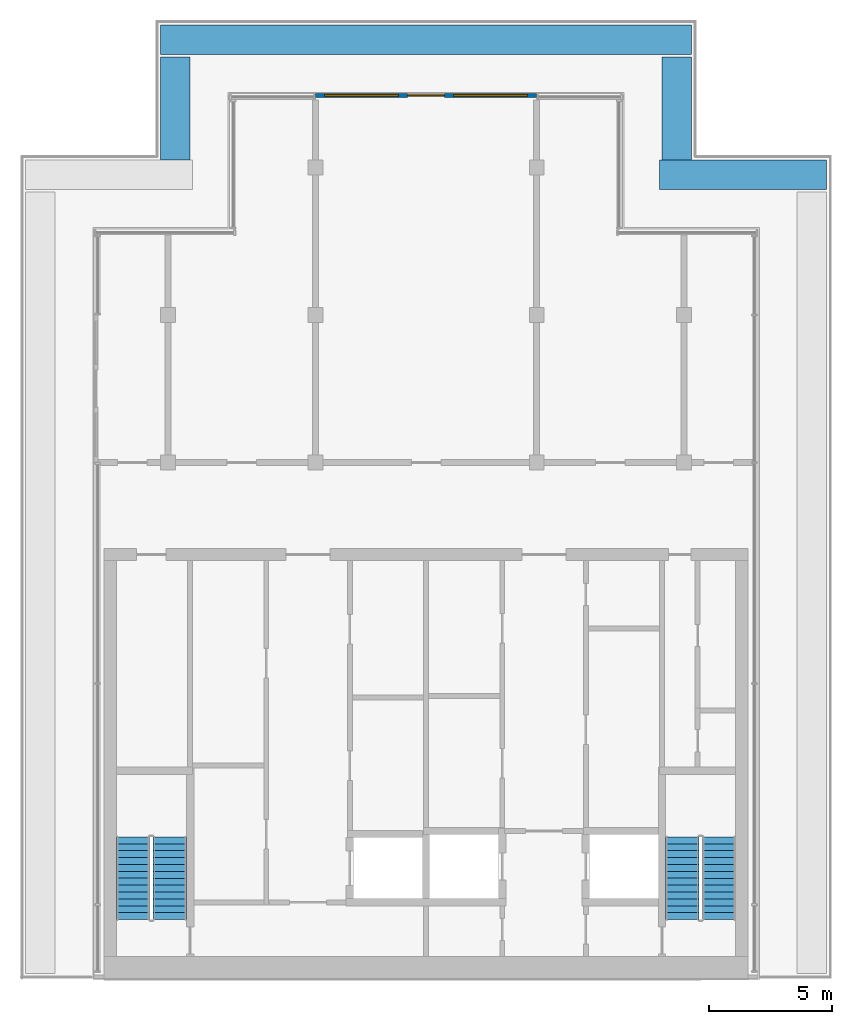
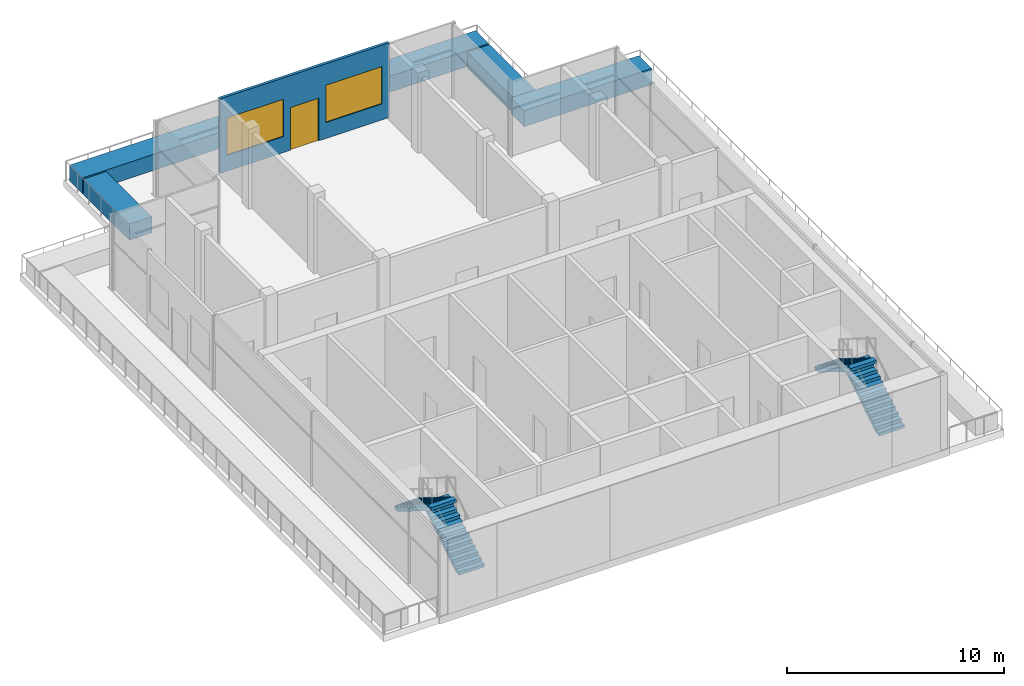
# One storey, part 4 of 6: 5 walls, 4 stair flights, 2 windows, 1 door, 3 openings, 2 elements without a shape of their own.
"""IFC4 building model written with IfcOpenShell, lengths in metres."""

from ifc_helpers import new_model, si_unit, direction, frame, frame_2d, origin, place, context, subcontext, project, spatial, polyline, rectangle, outline, extrude, material, layer, layer_set, type_object, element, fill, aggregate, save


model = new_model("IFC4")

# Units and contexts
model_context = context("Model", 3, precision=1e-05, world=origin(), true_north=direction((0.0, 1.0)))
body_context = subcontext(model_context, "Body", "Model", "MODEL_VIEW")
ifc_project = project(units=[si_unit("LENGTHUNIT", "METRE"), si_unit("AREAUNIT", "SQUARE_METRE"), si_unit("VOLUMEUNIT", "CUBIC_METRE"), si_unit("PLANEANGLEUNIT", "RADIAN"), si_unit("MASSUNIT", "GRAM", prefix="KILO")], contexts=[model_context])

# Site, building, storey
site_placement = place(None, origin())
site = spatial("IfcSite", under=ifc_project, at=site_placement, CompositionType="ELEMENT")
building_placement = place(site_placement, origin())
building = spatial("IfcBuilding", under=site, at=building_placement, Name="Finial Court Residences", CompositionType="ELEMENT")
storey_placement = place(building_placement, frame((0.0, 0.0, 312.199951171875)))
storey = spatial("IfcBuildingStorey", under=building, at=storey_placement, Name="L79", CompositionType="ELEMENT", Elevation=312.199951171875)

# Wall, openings, door, windows
ifc_material_1 = material(Name="Natural limestone", Category="masonry")
ifc_layer_1 = layer(ifc_material_1, 0.14990234375)
ifc_layer_set_1 = layer_set([ifc_layer_1], Name="Limestone clad wall 150")
wall_type_1 = type_object("IfcWallType", Name="Limestone clad wall 150", PredefinedType="SOLIDWALL", material=ifc_layer_set_1)
wall_1_placement = place(storey_placement, frame((-4.5, 10.425048828125, 0.0), z_axis=(0.0, 0.0, 1.0), x_axis=(1.0, 0.0, 0.0)))
wall_1 = element("IfcWall", 1, at=wall_1_placement, inside=storey, type_object=wall_type_1, Name="E-L79-L79-TD1-W", PredefinedType="SOLIDWALL", context=body_context, shape_type="SweptSolid", body=[
    extrude(rectangle(XDim=9.0, YDim=0.14990234375, at=frame_2d((4.5, 0.0))), origin(), (0.0, 0.0, 1.0), 4.199951171875),
])
opening_1_placement = place(wall_1_placement, frame((3.75, 0.0, 0.0)))
opening_1 = element("IfcOpeningElement", 2, at=opening_1_placement, cuts=wall_1, Name="Opening DE79-01", PredefinedType="OPENING", context=body_context, shape_type="SweptSolid", body=[
    extrude(rectangle(XDim=1.5, YDim=2.39990234375, at=frame_2d((0.75, 1.199951171875))), frame((0.0, 0.0849609375, 0.0), z_axis=(0.0, -1.0, 0.0), x_axis=(1.0, 0.0, 0.0)), (0.0, 0.0, 1.0), 0.169921875),
])
opening_2_placement = place(wall_1_placement, frame((0.375, 0.0, 0.89990234375)))
opening_2 = element("IfcOpeningElement", 3, at=opening_2_placement, cuts=wall_1, Name="Opening WE79-01", PredefinedType="OPENING", context=body_context, shape_type="SweptSolid", body=[
    extrude(rectangle(XDim=3.0, YDim=2.10009765625, at=frame_2d((1.5, 1.050048828125))), frame((0.0, 0.0849609375, 0.0), z_axis=(0.0, -1.0, 0.0), x_axis=(1.0, 0.0, 0.0)), (0.0, 0.0, 1.0), 0.169921875),
])
opening_3_placement = place(wall_1_placement, frame((5.625, 0.0, 0.89990234375)))
opening_3 = element("IfcOpeningElement", 4, at=opening_3_placement, cuts=wall_1, Name="Opening WE79-02", PredefinedType="OPENING", context=body_context, shape_type="SweptSolid", body=[
    extrude(rectangle(XDim=3.0, YDim=2.10009765625, at=frame_2d((1.5, 1.050048828125))), frame((0.0, 0.0849609375, 0.0), z_axis=(0.0, -1.0, 0.0), x_axis=(1.0, 0.0, 0.0)), (0.0, 0.0, 1.0), 0.169921875),
])
ifc_material_2 = material(Name="Bronze anodised aluminium", Category="aluminium")
door_type = type_object("IfcDoorType", Name="Terrace door 1500 x 2400", OperationType="DOUBLE_DOOR_SINGLE_SWING", PredefinedType="DOOR", material=ifc_material_2)
door_placement = place(opening_1_placement, origin())
door = element("IfcDoor", 5, at=door_placement, inside=storey, type_object=door_type, Name="E-L79-L79-TD1-W-D", OperationType="DOUBLE_DOOR_SINGLE_SWING", OverallHeight=2.39990234375, OverallWidth=1.5, PredefinedType="DOOR", context=body_context, shape_type="SweptSolid", body=[
    extrude(rectangle(XDim=1.5, YDim=2.39990234375, at=frame_2d((0.75, 1.199951171875))), frame((0.0, 0.02490234375, 0.0), z_axis=(0.0, -1.0, 0.0), x_axis=(1.0, 0.0, 0.0)), (0.0, 0.0, 1.0), 0.050048828125),
])
fill(opening_1, door)
ifc_material_3 = material(Name="Clear low-e glass", Category="glass")
window_type = type_object("IfcWindowType", Name="Terrace window 3000 x 2100", PartitioningType="SINGLE_PANEL", PredefinedType="WINDOW", material=ifc_material_3)
window_1_placement = place(opening_2_placement, origin())
window_1 = element("IfcWindow", 6, at=window_1_placement, inside=storey, type_object=window_type, Name="E-L79-L79-TD1-W-W1", OverallHeight=2.10009765625, OverallWidth=3.0, PartitioningType="SINGLE_PANEL", PredefinedType="WINDOW", context=body_context, shape_type="SweptSolid", body=[
    extrude(rectangle(XDim=3.0, YDim=2.10009765625, at=frame_2d((1.5, 1.050048828125))), frame((0.0, 0.030029296875, 0.0), z_axis=(0.0, -1.0, 0.0), x_axis=(1.0, 0.0, 0.0)), (0.0, 0.0, 1.0), 0.06005859375),
])
fill(opening_2, window_1)
window_2_placement = place(opening_3_placement, origin())
window_2 = element("IfcWindow", 7, at=window_2_placement, inside=storey, type_object=window_type, Name="E-L79-L79-TD1-W-W2", OverallHeight=2.10009765625, OverallWidth=3.0, PartitioningType="SINGLE_PANEL", PredefinedType="WINDOW", context=body_context, shape_type="SweptSolid", body=[
    extrude(rectangle(XDim=3.0, YDim=2.10009765625, at=frame_2d((1.5, 1.050048828125))), frame((0.0, 0.030029296875, 0.0), z_axis=(0.0, -1.0, 0.0), x_axis=(1.0, 0.0, 0.0)), (0.0, 0.0, 1.0), 0.06005859375),
])
fill(opening_3, window_2)

# Walls
ifc_material_4 = material(Name="Concrete C40/50", Category="concrete")
ifc_layer_2 = layer(ifc_material_4, 0.199951171875)
ifc_material_5 = material(Name="Planting soil", Category="soil")
ifc_layer_3 = layer(ifc_material_5, 0.800048828125)
ifc_layer_4 = layer(ifc_material_4, 0.199951171875)
ifc_layer_set_2 = layer_set([ifc_layer_2, ifc_layer_3, ifc_layer_4], Name="Planter wall, terrace 1200")
wall_type_2 = type_object("IfcWallType", Name="Planter wall, terrace 1200", PredefinedType="USERDEFINED", material=ifc_layer_set_2)
wall_2_placement = place(storey_placement, frame((-10.199951171875, 7.800048828125, 0.0), z_axis=(0.0, 0.0, 1.0), x_axis=(0.0, 1.0, 0.0)))
element("IfcWall", 8, at=wall_2_placement, inside=storey, type_object=wall_type_2, Name="E-L79-TER1-PL3", ObjectType="PLANTER", PredefinedType="USERDEFINED", context=body_context, shape_type="SweptSolid", body=[
    extrude(rectangle(XDim=4.199951171875, YDim=1.199951171875, at=frame_2d((2.10009765625, 0.0))), origin(), (0.0, 0.0, 1.0), 0.900146484375),
])
wall_3_placement = place(storey_placement, frame((-10.800048828125, 12.699951171875, 0.0), z_axis=(0.0, 0.0, 1.0), x_axis=(1.0, 0.0, 0.0)))
element("IfcWall", 9, at=wall_3_placement, inside=storey, type_object=wall_type_2, Name="E-L79-TER1-PL4", ObjectType="PLANTER", PredefinedType="USERDEFINED", context=body_context, shape_type="SweptSolid", body=[
    extrude(rectangle(XDim=21.60009765625, YDim=1.199951171875, at=frame_2d((10.800048828125, 0.0))), origin(), (0.0, 0.0, 1.0), 0.900146484375),
])
wall_4_placement = place(storey_placement, frame((10.199951171875, 7.800048828125, 0.0), z_axis=(0.0, 0.0, 1.0), x_axis=(0.0, 1.0, 0.0)))
element("IfcWall", 10, at=wall_4_placement, inside=storey, type_object=wall_type_2, Name="E-L79-TER1-PL5", ObjectType="PLANTER", PredefinedType="USERDEFINED", context=body_context, shape_type="SweptSolid", body=[
    extrude(rectangle(XDim=4.199951171875, YDim=1.199951171875, at=frame_2d((2.10009765625, 0.0))), origin(), (0.0, 0.0, 1.0), 0.900146484375),
])
wall_5_placement = place(storey_placement, frame((9.5, 7.199951171875, 0.0), z_axis=(0.0, 0.0, 1.0), x_axis=(1.0, 0.0, 0.0)))
element("IfcWall", 11, at=wall_5_placement, inside=storey, type_object=wall_type_2, Name="E-L79-TER1-PL6", ObjectType="PLANTER", PredefinedType="USERDEFINED", context=body_context, shape_type="SweptSolid", body=[
    extrude(rectangle(XDim=6.800048828125, YDim=1.199951171875, at=frame_2d((3.39990234375, 0.0))), origin(), (0.0, 0.0, 1.0), 0.900146484375),
])

# Stair, stair flights
ifc_material_6 = material(Name="Concrete C50/60", Category="concrete")
stair_type = type_object("IfcStairType", Name="Exit stair 26 risers of 173.1 mm", PredefinedType="HALF_TURN_STAIR", material=ifc_material_6)
stair_1_placement = place(storey_placement, origin())
stair_1 = element("IfcStair", 12, at=stair_1_placement, inside=storey, type_object=stair_type, Name="L79 Exit stair ST-1", PredefinedType="HALF_TURN_STAIR")
stair_flight_type = type_object("IfcStairFlightType", Name="Exit stair flight", PredefinedType="STRAIGHT", material=ifc_material_6)
stair_flight_1_placement = place(storey_placement, frame((-10.425048828125, -23.10009765625, 0.0), z_axis=(0.0, 0.0, 1.0), x_axis=(0.0, 1.0, 0.0)))
stair_flight_1 = element("IfcStairFlight", 13, at=stair_flight_1_placement, type_object=stair_flight_type, Name="ST-1 flight 1", NumberOfRisers=13, NumberOfTreads=12, PredefinedType="STRAIGHT", RiserHeight=0.173076923, TreadLength=0.28, context=body_context, shape_type="SweptSolid", body=[
    extrude(outline(polyline([(0.0, 0.0), (0.0, 0.173095703125), (0.280029296875, 0.173095703125), (0.280029296875, 0.34619140625), (0.56005859375, 0.34619140625), (0.56005859375, 0.519287109375), (0.840087890625, 0.519287109375), (0.840087890625, 0.6923828125), (1.1201171875, 0.6923828125), (1.1201171875, 0.865478515625), (1.39990234375, 0.865478515625), (1.39990234375, 1.03857421875), (1.679931640625, 1.03857421875), (1.679931640625, 1.21142578125), (1.9599609375, 1.21142578125), (1.9599609375, 1.384521484375), (2.239990234375, 1.384521484375), (2.239990234375, 1.5576171875), (2.52001953125, 1.5576171875), (2.52001953125, 1.730712890625), (2.800048828125, 1.730712890625), (2.800048828125, 1.90380859375), (3.080078125, 1.90380859375), (3.080078125, 2.076904296875), (3.360107421875, 2.076904296875), (3.360107421875, 2.25), (3.360107421875, 1.900634765625), (0.28515625, 0.0), (0.0, 0.0)])), frame((0.0, 0.675048828125, 0.0), z_axis=(0.0, -1.0, 0.0), x_axis=(1.0, 0.0, 0.0)), (0.0, 0.0, 1.0), 1.35009765625),
])
stair_flight_2_placement = place(storey_placement, frame((-11.925048828125, -19.739990234375, 2.25), z_axis=(0.0, 0.0, 1.0), x_axis=(0.0, -1.0, 0.0)))
stair_flight_2 = element("IfcStairFlight", 14, at=stair_flight_2_placement, type_object=stair_flight_type, Name="ST-1 flight 2", NumberOfRisers=13, NumberOfTreads=12, PredefinedType="STRAIGHT", RiserHeight=0.173076923, TreadLength=0.28, context=body_context, shape_type="SweptSolid", body=[
    extrude(outline(polyline([(0.0, 0.0), (0.0, 0.173095703125), (0.280029296875, 0.173095703125), (0.280029296875, 0.34619140625), (0.56005859375, 0.34619140625), (0.56005859375, 0.519287109375), (0.840087890625, 0.519287109375), (0.840087890625, 0.6923828125), (1.1201171875, 0.6923828125), (1.1201171875, 0.865478515625), (1.39990234375, 0.865478515625), (1.39990234375, 1.03857421875), (1.679931640625, 1.03857421875), (1.679931640625, 1.21142578125), (1.9599609375, 1.21142578125), (1.9599609375, 1.384521484375), (2.239990234375, 1.384521484375), (2.239990234375, 1.5576171875), (2.52001953125, 1.5576171875), (2.52001953125, 1.730712890625), (2.800048828125, 1.730712890625), (2.800048828125, 1.90380859375), (3.080078125, 1.90380859375), (3.080078125, 2.076904296875), (3.360107421875, 2.076904296875), (3.360107421875, 2.25), (3.360107421875, 1.900634765625), (0.28515625, 0.0), (0.0, 0.0)])), frame((0.0, 0.675048828125, 0.0), z_axis=(0.0, -1.0, 0.0), x_axis=(1.0, 0.0, 0.0)), (0.0, 0.0, 1.0), 1.35009765625),
])
aggregate(stair_1, [stair_flight_1, stair_flight_2])

stair_2_placement = place(storey_placement, origin())
stair_2 = element("IfcStair", 15, at=stair_2_placement, inside=storey, type_object=stair_type, Name="L79 Exit stair ST-2", PredefinedType="HALF_TURN_STAIR")
stair_flight_3_placement = place(storey_placement, frame((11.925048828125, -23.10009765625, 0.0), z_axis=(0.0, 0.0, 1.0), x_axis=(0.0, 1.0, 0.0)))
stair_flight_3 = element("IfcStairFlight", 16, at=stair_flight_3_placement, type_object=stair_flight_type, Name="ST-2 flight 1", NumberOfRisers=13, NumberOfTreads=12, PredefinedType="STRAIGHT", RiserHeight=0.173076923, TreadLength=0.28, context=body_context, shape_type="SweptSolid", body=[
    extrude(outline(polyline([(0.0, 0.0), (0.0, 0.173095703125), (0.280029296875, 0.173095703125), (0.280029296875, 0.34619140625), (0.56005859375, 0.34619140625), (0.56005859375, 0.519287109375), (0.840087890625, 0.519287109375), (0.840087890625, 0.6923828125), (1.1201171875, 0.6923828125), (1.1201171875, 0.865478515625), (1.39990234375, 0.865478515625), (1.39990234375, 1.03857421875), (1.679931640625, 1.03857421875), (1.679931640625, 1.21142578125), (1.9599609375, 1.21142578125), (1.9599609375, 1.384521484375), (2.239990234375, 1.384521484375), (2.239990234375, 1.5576171875), (2.52001953125, 1.5576171875), (2.52001953125, 1.730712890625), (2.800048828125, 1.730712890625), (2.800048828125, 1.90380859375), (3.080078125, 1.90380859375), (3.080078125, 2.076904296875), (3.360107421875, 2.076904296875), (3.360107421875, 2.25), (3.360107421875, 1.900634765625), (0.28515625, 0.0), (0.0, 0.0)])), frame((0.0, 0.675048828125, 0.0), z_axis=(0.0, -1.0, 0.0), x_axis=(1.0, 0.0, 0.0)), (0.0, 0.0, 1.0), 1.35009765625),
])
stair_flight_4_placement = place(storey_placement, frame((10.425048828125, -19.739990234375, 2.25), z_axis=(0.0, 0.0, 1.0), x_axis=(0.0, -1.0, 0.0)))
stair_flight_4 = element("IfcStairFlight", 17, at=stair_flight_4_placement, type_object=stair_flight_type, Name="ST-2 flight 2", NumberOfRisers=13, NumberOfTreads=12, PredefinedType="STRAIGHT", RiserHeight=0.173076923, TreadLength=0.28, context=body_context, shape_type="SweptSolid", body=[
    extrude(outline(polyline([(0.0, 0.0), (0.0, 0.173095703125), (0.280029296875, 0.173095703125), (0.280029296875, 0.34619140625), (0.56005859375, 0.34619140625), (0.56005859375, 0.519287109375), (0.840087890625, 0.519287109375), (0.840087890625, 0.6923828125), (1.1201171875, 0.6923828125), (1.1201171875, 0.865478515625), (1.39990234375, 0.865478515625), (1.39990234375, 1.03857421875), (1.679931640625, 1.03857421875), (1.679931640625, 1.21142578125), (1.9599609375, 1.21142578125), (1.9599609375, 1.384521484375), (2.239990234375, 1.384521484375), (2.239990234375, 1.5576171875), (2.52001953125, 1.5576171875), (2.52001953125, 1.730712890625), (2.800048828125, 1.730712890625), (2.800048828125, 1.90380859375), (3.080078125, 1.90380859375), (3.080078125, 2.076904296875), (3.360107421875, 2.076904296875), (3.360107421875, 2.25), (3.360107421875, 1.900634765625), (0.28515625, 0.0), (0.0, 0.0)])), frame((0.0, 0.675048828125, 0.0), z_axis=(0.0, -1.0, 0.0), x_axis=(1.0, 0.0, 0.0)), (0.0, 0.0, 1.0), 1.35009765625),
])
aggregate(stair_2, [stair_flight_3, stair_flight_4])

save(model, "model.ifc")
